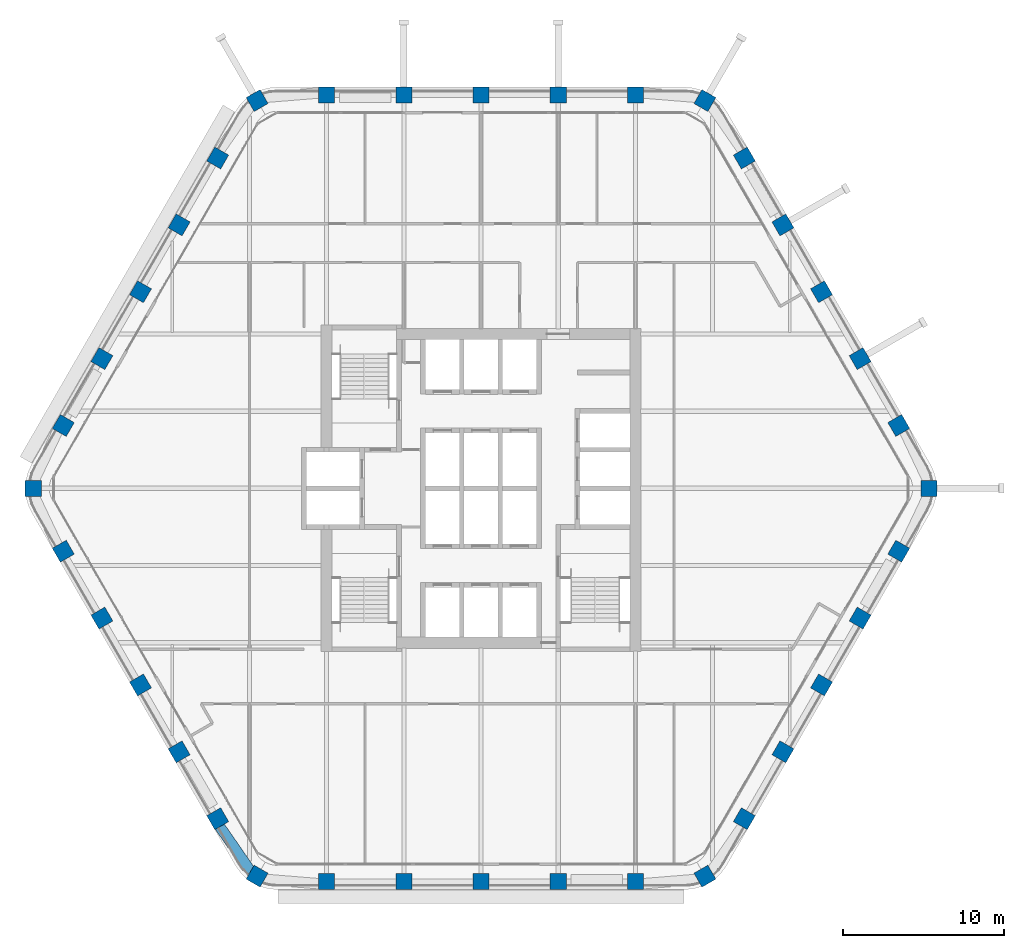
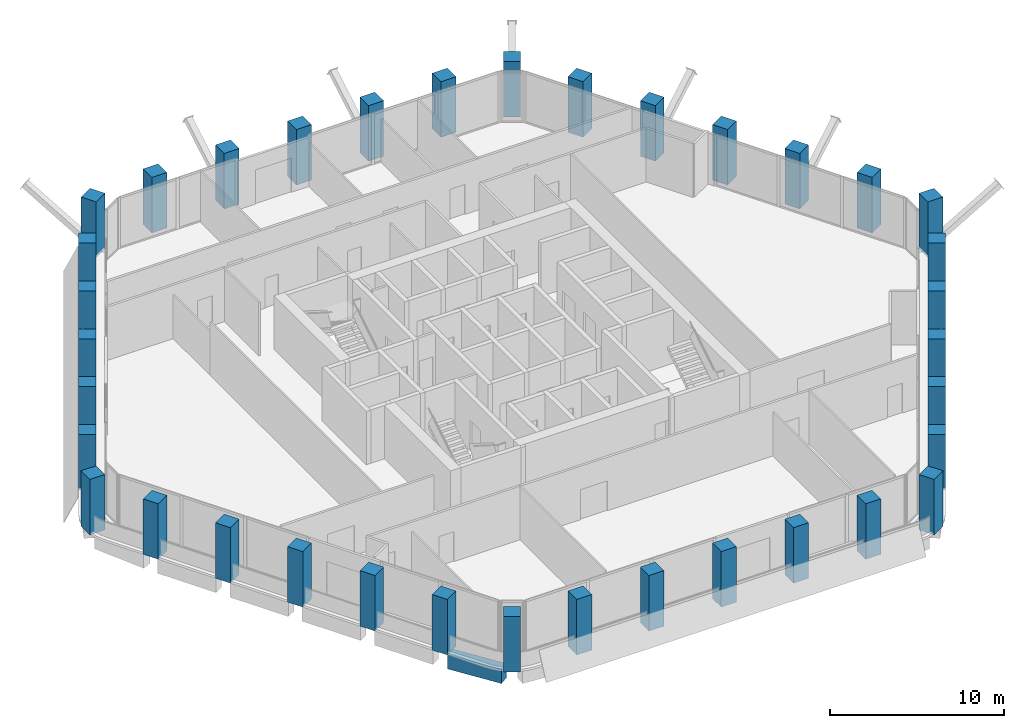
# One storey, part 1 of 16: 36 columns, 1 beam.
"""IFC4 building model written with IfcOpenShell, lengths in metres."""

from ifc_helpers import new_model, si_unit, direction, frame, origin, origin_2d, place, context, subcontext, project, spatial, rectangle, extrude, material, material_profile, profile_set, type_object, element, save


model = new_model("IFC4")

# Units and contexts
model_context = context("Model", 3, precision=1e-05, world=origin(), true_north=direction((0.0, 1.0)))
body_context = subcontext(model_context, "Body", "Model", "MODEL_VIEW")
ifc_project = project(units=[si_unit("LENGTHUNIT", "METRE"), si_unit("AREAUNIT", "SQUARE_METRE"), si_unit("VOLUMEUNIT", "CUBIC_METRE"), si_unit("PLANEANGLEUNIT", "RADIAN"), si_unit("MASSUNIT", "GRAM", prefix="KILO")], contexts=[model_context])

# Site, building, storey
site_placement = place(None, origin())
site = spatial("IfcSite", under=ifc_project, at=site_placement, CompositionType="ELEMENT")
building_placement = place(site_placement, origin())
building = spatial("IfcBuilding", under=site, at=building_placement, Name="Kolab Exchange Tower", CompositionType="ELEMENT")
storey_placement = place(building_placement, frame((0.0, 0.0, 162.199951171875)))
storey = spatial("IfcBuildingStorey", under=building, at=storey_placement, Name="L33", CompositionType="ELEMENT", Elevation=162.199951171875)

# Columns
ifc_material = material(Name="Concrete C60/75", Category="concrete")
ifc_material_profile_1 = material_profile(ifc_material, rectangle(XDim=1.0, YDim=1.0, at=origin_2d()), Name="RC1000")
ifc_profile_set_1 = profile_set([ifc_material_profile_1], Name="Concrete C60/75")
column_type = type_object("IfcColumnType", Name="PERIMETER COLUMN 1000 SQ C60/75", PredefinedType="COLUMN", material=ifc_profile_set_1)
for number, where, z_axis, x_axis, name in (
    (1, (-13.91796875, 24.106689453125, -0.14990234375), (0.0, 0.0, 1.0), (0.866025403784, 0.5, 0.0), "col/L33/F1-01"),
    (2, (-9.60009765625, 24.441650390625, -0.14990234375), (0.0, 0.0, 1.0), (1.0, 0.0, 0.0), "col/L33/F1-02"),
    (3, (-4.800048828125, 24.441650390625, -0.14990234375), (0.0, 0.0, 1.0), (1.0, 0.0, 0.0), "col/L33/F1-03"),
    (4, (0.0, 24.441650390625, -0.14990234375), (0.0, 0.0, 1.0), (1.0, 0.0, 0.0), "col/L33/F1-04"),
    (5, (4.800048828125, 24.441650390625, -0.14990234375), (0.0, 0.0, 1.0), (1.0, 0.0, 0.0), "col/L33/F1-05"),
    (6, (9.60009765625, 24.441650390625, -0.14990234375), (0.0, 0.0, 1.0), (1.0, 0.0, 0.0), "col/L33/F1-06"),
    (7, (13.91796875, 24.106689453125, -0.14990234375), (0.0, 0.0, 1.0), (0.5, 0.866025403784, 0.0), "col/L33/F2-01"),
    (8, (16.366943359375, 20.53466796875, -0.14990234375), (0.0, 0.0, 1.0), (0.866025403784, 0.5, 0.0), "col/L33/F2-02"),
    (9, (18.76708984375, 16.377685546875, -0.14990234375), (0.0, 0.0, 1.0), (0.866025403784, 0.5, 0.0), "col/L33/F2-03"),
    (10, (21.1669921875, 12.220703125, -0.14990234375), (0.0, 0.0, 1.0), (0.866025403784, 0.5, 0.0), "col/L33/F2-04"),
    (11, (23.56689453125, 8.06396484375, -0.14990234375), (0.0, 0.0, 1.0), (0.866025403784, 0.5, 0.0), "col/L33/F2-05"),
    (12, (25.967041015625, 3.906982421875, -0.14990234375), (0.0, 0.0, 1.0), (0.866025403784, 0.5, 0.0), "col/L33/F2-06"),
    (13, (27.8359375, 0.0, -0.14990234375), (0.0, 0.0, 1.0), (1.0, 0.0, 0.0), "col/L33/F3-01"),
    (14, (25.967041015625, -3.906982421875, -0.14990234375), (0.0, 0.0, 1.0), (0.5, 0.866025403784, 0.0), "col/L33/F3-02"),
    (15, (23.56689453125, -8.06396484375, -0.14990234375), (0.0, 0.0, 1.0), (0.5, 0.866025403784, 0.0), "col/L33/F3-03"),
    (16, (21.1669921875, -12.220703125, -0.14990234375), (0.0, 0.0, 1.0), (0.5, 0.866025403784, 0.0), "col/L33/F3-04"),
    (17, (18.76708984375, -16.377685546875, -0.14990234375), (0.0, 0.0, 1.0), (0.5, 0.866025403784, 0.0), "col/L33/F3-05"),
    (18, (16.366943359375, -20.53466796875, -0.14990234375), (0.0, 0.0, 1.0), (0.5, 0.866025403784, 0.0), "col/L33/F3-06"),
    (19, (13.91796875, -24.106689453125, -0.14990234375), (0.0, 0.0, 1.0), (0.866025403784, 0.5, 0.0), "col/L33/F4-01"),
    (20, (9.60009765625, -24.441650390625, -0.14990234375), (0.0, 0.0, 1.0), (1.0, 0.0, 0.0), "col/L33/F4-02"),
    (21, (4.800048828125, -24.441650390625, -0.14990234375), (0.0, 0.0, 1.0), (1.0, 0.0, 0.0), "col/L33/F4-03"),
    (22, (0.0, -24.441650390625, -0.14990234375), (0.0, 0.0, 1.0), (1.0, 0.0, 0.0), "col/L33/F4-04"),
    (23, (-4.800048828125, -24.441650390625, -0.14990234375), (0.0, 0.0, 1.0), (1.0, 0.0, 0.0), "col/L33/F4-05"),
    (24, (-9.60009765625, -24.441650390625, -0.14990234375), (0.0, 0.0, 1.0), (1.0, 0.0, 0.0), "col/L33/F4-06"),
    (25, (-13.91796875, -24.106689453125, -0.14990234375), (0.0, 0.0, 1.0), (0.5, 0.866025403784, 0.0), "col/L33/F5-01"),
    (26, (-16.366943359375, -20.53466796875, -0.14990234375), (0.0, 0.0, 1.0), (0.866025403784, 0.5, 0.0), "col/L33/F5-02"),
    (27, (-18.76708984375, -16.377685546875, -0.14990234375), (0.0, 0.0, 1.0), (0.866025403784, 0.5, 0.0), "col/L33/F5-03"),
    (28, (-21.1669921875, -12.220703125, -0.14990234375), (0.0, 0.0, 1.0), (0.866025403784, 0.5, 0.0), "col/L33/F5-04"),
    (29, (-23.56689453125, -8.06396484375, -0.14990234375), (0.0, 0.0, 1.0), (0.866025403784, 0.5, 0.0), "col/L33/F5-05"),
    (30, (-25.967041015625, -3.906982421875, -0.14990234375), (0.0, 0.0, 1.0), (0.866025403784, 0.5, 0.0), "col/L33/F5-06"),
    (31, (-27.8359375, 0.0, -0.14990234375), (0.0, 0.0, 1.0), (1.0, 0.0, 0.0), "col/L33/F6-01"),
    (32, (-25.967041015625, 3.906982421875, -0.14990234375), (0.0, 0.0, 1.0), (0.5, 0.866025403784, 0.0), "col/L33/F6-02"),
    (33, (-23.56689453125, 8.06396484375, -0.14990234375), (0.0, 0.0, 1.0), (0.5, 0.866025403784, 0.0), "col/L33/F6-03"),
    (34, (-21.1669921875, 12.220703125, -0.14990234375), (0.0, 0.0, 1.0), (0.5, 0.866025403784, 0.0), "col/L33/F6-04"),
    (35, (-18.76708984375, 16.377685546875, -0.14990234375), (0.0, 0.0, 1.0), (0.5, 0.866025403784, 0.0), "col/L33/F6-05"),
    (36, (-16.366943359375, 20.53466796875, -0.14990234375), (0.0, 0.0, 1.0), (0.5, 0.866025403784, 0.0), "col/L33/F6-06"),
):
    element("IfcColumn", number, at=place(storey_placement, frame(where, z_axis=z_axis, x_axis=x_axis)), inside=storey, type_object=column_type, Name=name, PredefinedType="COLUMN", context=body_context, shape_type="SweptSolid", body=[
        extrude(rectangle(XDim=1.0, YDim=1.0, at=origin_2d()), origin(), (0.0, 0.0, 1.0), 3.89990234375),
    ])

# Beam
ifc_material_profile_2 = material_profile(ifc_material, rectangle(XDim=0.64990234375, YDim=1.0, at=origin_2d()), Name="RC650X1000")
ifc_profile_set_2 = profile_set([ifc_material_profile_2], Name="Concrete C60/75")
beam_type = type_object("IfcBeamType", Name="SPANDREL BEAM 650X1000 C60/75", PredefinedType="BEAM", material=ifc_profile_set_2)
beam_placement = place(storey_placement, frame((-14.29736328125, -23.8359375, -0.64990234375), z_axis=(-0.568572281073, 0.822633309073, 0.0), x_axis=(-0.822633309073, -0.568572281073, 0.0)))
element("IfcBeam", 37, at=beam_placement, inside=storey, type_object=beam_type, Name="beam/L33/sp/F5-01", PredefinedType="BEAM", context=body_context, shape_type="SweptSolid", body=[
    extrude(rectangle(XDim=0.64990234375, YDim=1.0, at=origin_2d()), origin(), (0.0, 0.0, 1.0), 3.445068359375),
])

save(model, "model.ifc")
